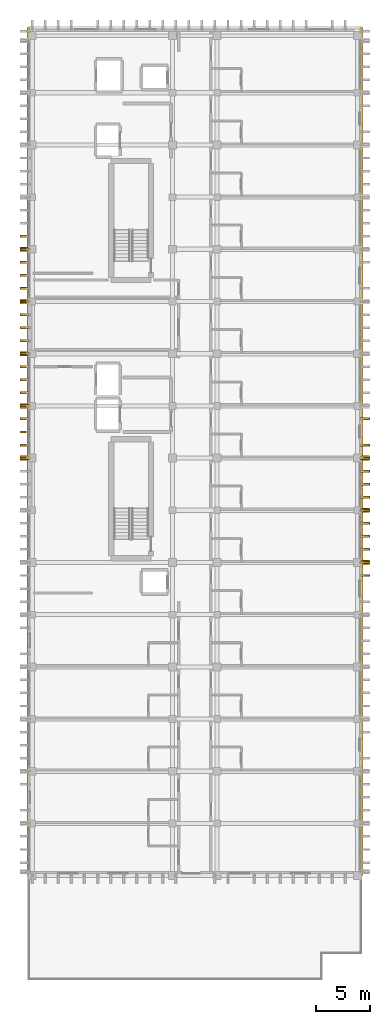
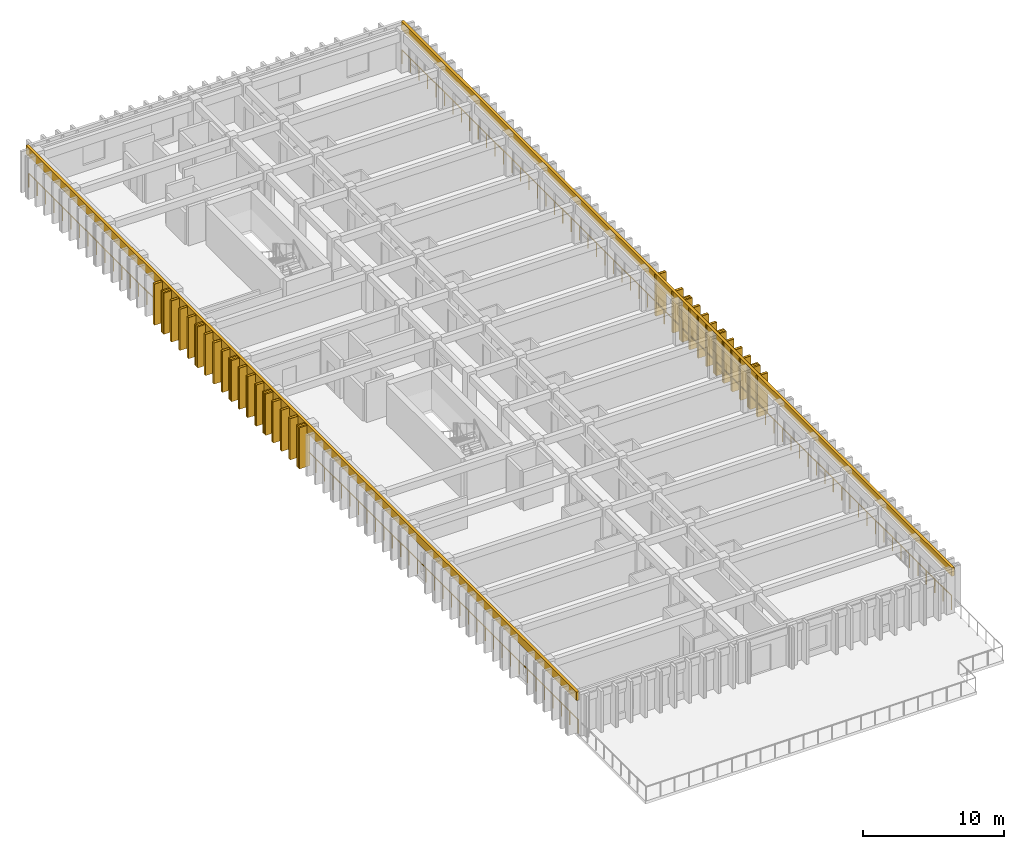
# One storey, part 56 of 59: 32 coverings, 30 shading devices, 2 railings.
"""IFC4 building model written with IfcOpenShell, lengths in metres."""

from ifc_helpers import new_model, si_unit, direction, frame, origin, origin_2d, place, context, subcontext, project, spatial, rectangle, circle, extrude, material, layer, layer_set, type_object, element, save


model = new_model("IFC4")

# Units and contexts
model_context = context("Model", 3, precision=1e-05, world=origin(), true_north=direction((0.0, 1.0)))
body_context = subcontext(model_context, "Body", "Model", "MODEL_VIEW")
ifc_project = project(units=[si_unit("LENGTHUNIT", "METRE"), si_unit("AREAUNIT", "SQUARE_METRE"), si_unit("VOLUMEUNIT", "CUBIC_METRE"), si_unit("PLANEANGLEUNIT", "RADIAN"), si_unit("MASSUNIT", "GRAM", prefix="KILO")], contexts=[model_context])

# Site, building, storey
site_placement = place(None, origin())
site = spatial("IfcSite", under=ifc_project, at=site_placement, CompositionType="ELEMENT")
building_placement = place(site_placement, origin())
building = spatial("IfcBuilding", under=site, at=building_placement, Name="Nakhvara Creek Congress Hotel", CompositionType="ELEMENT")
storey_placement = place(building_placement, frame((0.0, 0.0, 31.800048828125)))
storey = spatial("IfcBuildingStorey", under=building, at=storey_placement, Name="L07", CompositionType="ELEMENT", Elevation=31.800048828125)

# Coverings
ifc_material_1 = material(Name="Honed pale Omani limestone architectural cladding", Category="masonry")
ifc_layer_1 = layer(ifc_material_1, 0.219970703125)
ifc_layer_set_1 = layer_set([ifc_layer_1], Name="Honed pale Omani limestone architectural cladding")
covering_type_1 = type_object("IfcCoveringType", Name="COV-FIN-850", PredefinedType="CLADDING", material=ifc_layer_set_1)
covering_1_placement = place(storey_placement, frame((180.054931640625, 75.60009765625, 0.0), z_axis=(0.0, 0.0, 1.0), x_axis=(0.0, 1.0, 0.0)))
element("IfcCovering", 1, at=covering_1_placement, inside=storey, type_object=covering_type_1, Name="Pale Limestone Fin Cladding CF01-1847", PredefinedType="CLADDING", context=body_context, shape_type="SweptSolid", body=[
    extrude(rectangle(XDim=0.219970703125, YDim=0.85009765625, at=origin_2d()), origin(), (0.0, 0.0, 1.0), 3.56005859375),
])
covering_2_placement = place(storey_placement, frame((180.054931640625, 76.800048828125, 0.0), z_axis=(0.0, 0.0, 1.0), x_axis=(0.0, 1.0, 0.0)))
element("IfcCovering", 2, at=covering_2_placement, inside=storey, type_object=covering_type_1, Name="Pale Limestone Fin Cladding CF01-1849", PredefinedType="CLADDING", context=body_context, shape_type="SweptSolid", body=[
    extrude(rectangle(XDim=0.43994140625, YDim=0.85009765625, at=origin_2d()), origin(), (0.0, 0.0, 1.0), 3.56005859375),
])
for number, where, z_axis, x_axis, name in (
    (3, (180.054931640625, 78.0, 0.0), (0.0, 0.0, 1.0), (0.0, 1.0, 0.0), "Pale Limestone Fin Cladding CF01-1851"),
    (4, (180.054931640625, 79.199951171875, 0.0), (0.0, 0.0, 1.0), (0.0, 1.0, 0.0), "Pale Limestone Fin Cladding CF01-1853"),
    (5, (180.054931640625, 80.39990234375, 0.0), (0.0, 0.0, 1.0), (0.0, 1.0, 0.0), "Pale Limestone Fin Cladding CF01-1855"),
):
    element("IfcCovering", number, at=place(storey_placement, frame(where, z_axis=z_axis, x_axis=x_axis)), inside=storey, type_object=covering_type_1, Name=name, PredefinedType="CLADDING", context=body_context, shape_type="SweptSolid", body=[
        extrude(rectangle(XDim=0.219970703125, YDim=0.85009765625, at=origin_2d()), origin(), (0.0, 0.0, 1.0), 3.56005859375),
    ])
covering_3_placement = place(storey_placement, frame((180.054931640625, 81.60009765625, 0.0), z_axis=(0.0, 0.0, 1.0), x_axis=(0.0, 1.0, 0.0)))
element("IfcCovering", 6, at=covering_3_placement, inside=storey, type_object=covering_type_1, Name="Pale Limestone Fin Cladding CF01-1857", PredefinedType="CLADDING", context=body_context, shape_type="SweptSolid", body=[
    extrude(rectangle(XDim=0.43994140625, YDim=0.85009765625, at=origin_2d()), origin(), (0.0, 0.0, 1.0), 3.56005859375),
])
for number, where, z_axis, x_axis, name in (
    (7, (180.054931640625, 82.800048828125, 0.0), (0.0, 0.0, 1.0), (0.0, 1.0, 0.0), "Pale Limestone Fin Cladding CF01-1859"),
    (8, (180.054931640625, 84.0, 0.0), (0.0, 0.0, 1.0), (0.0, 1.0, 0.0), "Pale Limestone Fin Cladding CF01-1861"),
    (9, (180.054931640625, 85.199951171875, 0.0), (0.0, 0.0, 1.0), (0.0, 1.0, 0.0), "Pale Limestone Fin Cladding CF01-1863"),
):
    element("IfcCovering", number, at=place(storey_placement, frame(where, z_axis=z_axis, x_axis=x_axis)), inside=storey, type_object=covering_type_1, Name=name, PredefinedType="CLADDING", context=body_context, shape_type="SweptSolid", body=[
        extrude(rectangle(XDim=0.219970703125, YDim=0.85009765625, at=origin_2d()), origin(), (0.0, 0.0, 1.0), 3.56005859375),
    ])
for number, where, z_axis, x_axis, name in (
    (10, (180.054931640625, 86.39990234375, 0.0), (0.0, 0.0, 1.0), (0.0, 1.0, 0.0), "Pale Limestone Fin Cladding CF01-1865"),
    (11, (148.7451171875, 86.39990234375, 0.0), (0.0, 0.0, 1.0), (0.0, 1.0, 0.0), "Pale Limestone Fin Cladding CF01-1866"),
):
    element("IfcCovering", number, at=place(storey_placement, frame(where, z_axis=z_axis, x_axis=x_axis)), inside=storey, type_object=covering_type_1, Name=name, PredefinedType="CLADDING", context=body_context, shape_type="SweptSolid", body=[
        extrude(rectangle(XDim=0.43994140625, YDim=0.85009765625, at=origin_2d()), origin(), (0.0, 0.0, 1.0), 3.56005859375),
    ])
for number, where, z_axis, x_axis, name in (
    (12, (180.054931640625, 87.60009765625, 0.0), (0.0, 0.0, 1.0), (0.0, 1.0, 0.0), "Pale Limestone Fin Cladding CF01-1867"),
    (13, (148.7451171875, 87.60009765625, 0.0), (0.0, 0.0, 1.0), (0.0, 1.0, 0.0), "Pale Limestone Fin Cladding CF01-1868"),
    (14, (148.7451171875, 88.800048828125, 0.0), (0.0, 0.0, 1.0), (0.0, 1.0, 0.0), "Pale Limestone Fin Cladding CF01-1869"),
    (15, (180.054931640625, 90.0, 0.0), (0.0, 0.0, 1.0), (0.0, 1.0, 0.0), "Pale Limestone Fin Cladding CF01-1870"),
    (16, (148.7451171875, 90.0, 0.0), (0.0, 0.0, 1.0), (0.0, 1.0, 0.0), "Pale Limestone Fin Cladding CF01-1871"),
):
    element("IfcCovering", number, at=place(storey_placement, frame(where, z_axis=z_axis, x_axis=x_axis)), inside=storey, type_object=covering_type_1, Name=name, PredefinedType="CLADDING", context=body_context, shape_type="SweptSolid", body=[
        extrude(rectangle(XDim=0.219970703125, YDim=0.85009765625, at=origin_2d()), origin(), (0.0, 0.0, 1.0), 3.56005859375),
    ])
covering_4_placement = place(storey_placement, frame((148.7451171875, 91.199951171875, 0.0), z_axis=(0.0, 0.0, 1.0), x_axis=(0.0, 1.0, 0.0)))
element("IfcCovering", 17, at=covering_4_placement, inside=storey, type_object=covering_type_1, Name="Pale Limestone Fin Cladding CF01-1873", PredefinedType="CLADDING", context=body_context, shape_type="SweptSolid", body=[
    extrude(rectangle(XDim=0.43994140625, YDim=0.85009765625, at=origin_2d()), origin(), (0.0, 0.0, 1.0), 3.56005859375),
])
for number, where, z_axis, x_axis, name in (
    (18, (148.7451171875, 92.39990234375, 0.0), (0.0, 0.0, 1.0), (0.0, 1.0, 0.0), "Pale Limestone Fin Cladding CF01-1875"),
    (19, (148.7451171875, 93.60009765625, 0.0), (0.0, 0.0, 1.0), (0.0, 1.0, 0.0), "Pale Limestone Fin Cladding CF01-1877"),
    (20, (148.7451171875, 94.800048828125, 0.0), (0.0, 0.0, 1.0), (0.0, 1.0, 0.0), "Pale Limestone Fin Cladding CF01-1879"),
):
    element("IfcCovering", number, at=place(storey_placement, frame(where, z_axis=z_axis, x_axis=x_axis)), inside=storey, type_object=covering_type_1, Name=name, PredefinedType="CLADDING", context=body_context, shape_type="SweptSolid", body=[
        extrude(rectangle(XDim=0.219970703125, YDim=0.85009765625, at=origin_2d()), origin(), (0.0, 0.0, 1.0), 3.56005859375),
    ])
covering_5_placement = place(storey_placement, frame((148.7451171875, 96.0, 0.0), z_axis=(0.0, 0.0, 1.0), x_axis=(0.0, 1.0, 0.0)))
element("IfcCovering", 21, at=covering_5_placement, inside=storey, type_object=covering_type_1, Name="Pale Limestone Fin Cladding CF01-1881", PredefinedType="CLADDING", context=body_context, shape_type="SweptSolid", body=[
    extrude(rectangle(XDim=0.43994140625, YDim=0.85009765625, at=origin_2d()), origin(), (0.0, 0.0, 1.0), 3.56005859375),
])
for number, where, z_axis, x_axis, name in (
    (22, (148.7451171875, 97.199951171875, 0.0), (0.0, 0.0, 1.0), (0.0, 1.0, 0.0), "Pale Limestone Fin Cladding CF01-1883"),
    (23, (148.7451171875, 98.39990234375, 0.0), (0.0, 0.0, 1.0), (0.0, 1.0, 0.0), "Pale Limestone Fin Cladding CF01-1885"),
    (24, (148.7451171875, 99.60009765625, 0.0), (0.0, 0.0, 1.0), (0.0, 1.0, 0.0), "Pale Limestone Fin Cladding CF01-1887"),
):
    element("IfcCovering", number, at=place(storey_placement, frame(where, z_axis=z_axis, x_axis=x_axis)), inside=storey, type_object=covering_type_1, Name=name, PredefinedType="CLADDING", context=body_context, shape_type="SweptSolid", body=[
        extrude(rectangle(XDim=0.219970703125, YDim=0.85009765625, at=origin_2d()), origin(), (0.0, 0.0, 1.0), 3.56005859375),
    ])
covering_6_placement = place(storey_placement, frame((148.7451171875, 100.800048828125, 0.0), z_axis=(0.0, 0.0, 1.0), x_axis=(0.0, 1.0, 0.0)))
element("IfcCovering", 25, at=covering_6_placement, inside=storey, type_object=covering_type_1, Name="Pale Limestone Fin Cladding CF01-1889", PredefinedType="CLADDING", context=body_context, shape_type="SweptSolid", body=[
    extrude(rectangle(XDim=0.43994140625, YDim=0.85009765625, at=origin_2d()), origin(), (0.0, 0.0, 1.0), 3.56005859375),
])
for number, where, z_axis, x_axis, name in (
    (26, (148.7451171875, 102.0, 0.0), (0.0, 0.0, 1.0), (0.0, 1.0, 0.0), "Pale Limestone Fin Cladding CF01-1891"),
    (27, (148.7451171875, 103.199951171875, 0.0), (0.0, 0.0, 1.0), (0.0, 1.0, 0.0), "Pale Limestone Fin Cladding CF01-1892"),
    (28, (148.7451171875, 104.39990234375, 0.0), (0.0, 0.0, 1.0), (0.0, 1.0, 0.0), "Pale Limestone Fin Cladding CF01-1894"),
):
    element("IfcCovering", number, at=place(storey_placement, frame(where, z_axis=z_axis, x_axis=x_axis)), inside=storey, type_object=covering_type_1, Name=name, PredefinedType="CLADDING", context=body_context, shape_type="SweptSolid", body=[
        extrude(rectangle(XDim=0.219970703125, YDim=0.85009765625, at=origin_2d()), origin(), (0.0, 0.0, 1.0), 3.56005859375),
    ])
covering_7_placement = place(storey_placement, frame((148.7451171875, 105.60009765625, 0.0), z_axis=(0.0, 0.0, 1.0), x_axis=(0.0, 1.0, 0.0)))
element("IfcCovering", 29, at=covering_7_placement, inside=storey, type_object=covering_type_1, Name="Pale Limestone Fin Cladding CF01-1896", PredefinedType="CLADDING", context=body_context, shape_type="SweptSolid", body=[
    extrude(rectangle(XDim=0.43994140625, YDim=0.85009765625, at=origin_2d()), origin(), (0.0, 0.0, 1.0), 3.56005859375),
])
covering_8_placement = place(storey_placement, frame((148.7451171875, 106.800048828125, 0.0), z_axis=(0.0, 0.0, 1.0), x_axis=(0.0, 1.0, 0.0)))
element("IfcCovering", 30, at=covering_8_placement, inside=storey, type_object=covering_type_1, Name="Pale Limestone Fin Cladding CF01-1898", PredefinedType="CLADDING", context=body_context, shape_type="SweptSolid", body=[
    extrude(rectangle(XDim=0.219970703125, YDim=0.85009765625, at=origin_2d()), origin(), (0.0, 0.0, 1.0), 3.56005859375),
])
ifc_layer_2 = layer(ifc_material_1, 0.179931640625)
ifc_layer_set_2 = layer_set([ifc_layer_2], Name="Honed pale Omani limestone architectural cladding")
covering_type_2 = type_object("IfcCoveringType", Name="COV-SPN-180", PredefinedType="CLADDING", material=ifc_layer_set_2)
for number, where, z_axis, x_axis, name in (
    (31, (179.739990234375, 87.0, 2.909912109375), (0.0, 0.0, 1.0), (0.0, 1.0, 0.0), "Pale Limestone Spandrel Band CF02-0069"),
    (32, (149.06005859375, 87.0, 2.909912109375), (0.0, 0.0, 1.0), (0.0, 1.0, 0.0), "Pale Limestone Spandrel Band CF02-0070"),
):
    element("IfcCovering", number, at=place(storey_placement, frame(where, z_axis=z_axis, x_axis=x_axis)), inside=storey, type_object=covering_type_2, Name=name, PredefinedType="CLADDING", context=body_context, shape_type="SweptSolid", body=[
        extrude(rectangle(XDim=78.0, YDim=0.219970703125, at=origin_2d()), origin(), (0.0, 0.0, 1.0), 0.72998046875),
    ])

# Railings
ifc_material_2 = material(Name="Brushed stainless steel 316L", Category="steel")
railing_type = type_object("IfcRailingType", Name="RL-GUARD-1200", PredefinedType="GUARDRAIL", material=ifc_material_2)
railing_1_placement = place(storey_placement, frame((179.669921875, 48.080078125, 0.0)))
element("IfcRailing", 33, at=railing_1_placement, inside=storey, type_object=railing_type, Name="Perimeter Safety Rail East L07", PredefinedType="GUARDRAIL", context=body_context, shape_type="SweptSolid", body=[
    extrude(circle(Radius=0.02392578125, at=origin_2d()), frame((0.0, 0.0146484375, 1.17578125), z_axis=(0.0, 1.0, 0.0), x_axis=(-1.0, 0.0, 0.0)), (0.0, 0.0, 1.0), 77.810546875),
    extrude(circle(Radius=0.02099609375, at=origin_2d()), origin(), (0.0, 0.0, 1.0), 1.1806640625),
    extrude(circle(Radius=0.02099609375, at=origin_2d()), frame((0.0, 1.197509765625, 0.0)), (0.0, 0.0, 1.0), 1.1806640625),
    extrude(circle(Radius=0.02099609375, at=origin_2d()), frame((0.0, 2.39501953125, 0.0)), (0.0, 0.0, 1.0), 1.1806640625),
    extrude(circle(Radius=0.02099609375, at=origin_2d()), frame((0.0, 3.592529296875, 0.0)), (0.0, 0.0, 1.0), 1.1806640625),
    extrude(circle(Radius=0.02099609375, at=origin_2d()), frame((0.0, 4.7900390625, 0.0)), (0.0, 0.0, 1.0), 1.1806640625),
    extrude(circle(Radius=0.02099609375, at=origin_2d()), frame((0.0, 5.98779296875, 0.0)), (0.0, 0.0, 1.0), 1.1806640625),
    extrude(circle(Radius=0.02099609375, at=origin_2d()), frame((0.0, 7.185302734375, 0.0)), (0.0, 0.0, 1.0), 1.1806640625),
    extrude(circle(Radius=0.02099609375, at=origin_2d()), frame((0.0, 8.3828125, 0.0)), (0.0, 0.0, 1.0), 1.1806640625),
    extrude(circle(Radius=0.02099609375, at=origin_2d()), frame((0.0, 9.580322265625, 0.0)), (0.0, 0.0, 1.0), 1.1806640625),
    extrude(circle(Radius=0.02099609375, at=origin_2d()), frame((0.0, 10.77783203125, 0.0)), (0.0, 0.0, 1.0), 1.1806640625),
    extrude(circle(Radius=0.02099609375, at=origin_2d()), frame((0.0, 11.975341796875, 0.0)), (0.0, 0.0, 1.0), 1.1806640625),
    extrude(circle(Radius=0.02099609375, at=origin_2d()), frame((0.0, 13.1728515625, 0.0)), (0.0, 0.0, 1.0), 1.1806640625),
    extrude(circle(Radius=0.02099609375, at=origin_2d()), frame((0.0, 14.370361328125, 0.0)), (0.0, 0.0, 1.0), 1.1806640625),
    extrude(circle(Radius=0.02099609375, at=origin_2d()), frame((0.0, 15.56787109375, 0.0)), (0.0, 0.0, 1.0), 1.1806640625),
    extrude(circle(Radius=0.02099609375, at=origin_2d()), frame((0.0, 16.765625, 0.0)), (0.0, 0.0, 1.0), 1.1806640625),
    extrude(circle(Radius=0.02099609375, at=origin_2d()), frame((0.0, 17.963134765625, 0.0)), (0.0, 0.0, 1.0), 1.1806640625),
    extrude(circle(Radius=0.02099609375, at=origin_2d()), frame((0.0, 19.16064453125, 0.0)), (0.0, 0.0, 1.0), 1.1806640625),
    extrude(circle(Radius=0.02099609375, at=origin_2d()), frame((0.0, 20.358154296875, 0.0)), (0.0, 0.0, 1.0), 1.1806640625),
    extrude(circle(Radius=0.02099609375, at=origin_2d()), frame((0.0, 21.5556640625, 0.0)), (0.0, 0.0, 1.0), 1.1806640625),
    extrude(circle(Radius=0.02099609375, at=origin_2d()), frame((0.0, 22.753173828125, 0.0)), (0.0, 0.0, 1.0), 1.1806640625),
    extrude(circle(Radius=0.02099609375, at=origin_2d()), frame((0.0, 23.95068359375, 0.0)), (0.0, 0.0, 1.0), 1.1806640625),
    extrude(circle(Radius=0.02099609375, at=origin_2d()), frame((0.0, 25.148193359375, 0.0)), (0.0, 0.0, 1.0), 1.1806640625),
    extrude(circle(Radius=0.02099609375, at=origin_2d()), frame((0.0, 26.345703125, 0.0)), (0.0, 0.0, 1.0), 1.1806640625),
    extrude(circle(Radius=0.02099609375, at=origin_2d()), frame((0.0, 27.543212890625, 0.0)), (0.0, 0.0, 1.0), 1.1806640625),
    extrude(circle(Radius=0.02099609375, at=origin_2d()), frame((0.0, 28.740966796875, 0.0)), (0.0, 0.0, 1.0), 1.1806640625),
    extrude(circle(Radius=0.02099609375, at=origin_2d()), frame((0.0, 29.9384765625, 0.0)), (0.0, 0.0, 1.0), 1.1806640625),
    extrude(circle(Radius=0.02099609375, at=origin_2d()), frame((0.0, 31.135986328125, 0.0)), (0.0, 0.0, 1.0), 1.1806640625),
    extrude(circle(Radius=0.02099609375, at=origin_2d()), frame((0.0, 32.33349609375, 0.0)), (0.0, 0.0, 1.0), 1.1806640625),
    extrude(circle(Radius=0.02099609375, at=origin_2d()), frame((0.0, 33.531005859375, 0.0)), (0.0, 0.0, 1.0), 1.1806640625),
    extrude(circle(Radius=0.02099609375, at=origin_2d()), frame((0.0, 34.728515625, 0.0)), (0.0, 0.0, 1.0), 1.1806640625),
    extrude(circle(Radius=0.02099609375, at=origin_2d()), frame((0.0, 35.926025390625, 0.0)), (0.0, 0.0, 1.0), 1.1806640625),
    extrude(circle(Radius=0.02099609375, at=origin_2d()), frame((0.0, 37.12353515625, 0.0)), (0.0, 0.0, 1.0), 1.1806640625),
    extrude(circle(Radius=0.02099609375, at=origin_2d()), frame((0.0, 38.321044921875, 0.0)), (0.0, 0.0, 1.0), 1.1806640625),
    extrude(circle(Radius=0.02099609375, at=origin_2d()), frame((0.0, 39.518798828125, 0.0)), (0.0, 0.0, 1.0), 1.1806640625),
    extrude(circle(Radius=0.02099609375, at=origin_2d()), frame((0.0, 40.71630859375, 0.0)), (0.0, 0.0, 1.0), 1.1806640625),
    extrude(circle(Radius=0.02099609375, at=origin_2d()), frame((0.0, 41.913818359375, 0.0)), (0.0, 0.0, 1.0), 1.1806640625),
    extrude(circle(Radius=0.02099609375, at=origin_2d()), frame((0.0, 43.111328125, 0.0)), (0.0, 0.0, 1.0), 1.1806640625),
    extrude(circle(Radius=0.02099609375, at=origin_2d()), frame((0.0, 44.308837890625, 0.0)), (0.0, 0.0, 1.0), 1.1806640625),
    extrude(circle(Radius=0.02099609375, at=origin_2d()), frame((0.0, 45.50634765625, 0.0)), (0.0, 0.0, 1.0), 1.1806640625),
    extrude(circle(Radius=0.02099609375, at=origin_2d()), frame((0.0, 46.703857421875, 0.0)), (0.0, 0.0, 1.0), 1.1806640625),
    extrude(circle(Radius=0.02099609375, at=origin_2d()), frame((0.0, 47.9013671875, 0.0)), (0.0, 0.0, 1.0), 1.1806640625),
    extrude(circle(Radius=0.02099609375, at=origin_2d()), frame((0.0, 49.098876953125, 0.0)), (0.0, 0.0, 1.0), 1.1806640625),
    extrude(circle(Radius=0.02099609375, at=origin_2d()), frame((0.0, 50.296630859375, 0.0)), (0.0, 0.0, 1.0), 1.1806640625),
    extrude(circle(Radius=0.02099609375, at=origin_2d()), frame((0.0, 51.494140625, 0.0)), (0.0, 0.0, 1.0), 1.1806640625),
    extrude(circle(Radius=0.02099609375, at=origin_2d()), frame((0.0, 52.691650390625, 0.0)), (0.0, 0.0, 1.0), 1.1806640625),
    extrude(circle(Radius=0.02099609375, at=origin_2d()), frame((0.0, 53.88916015625, 0.0)), (0.0, 0.0, 1.0), 1.1806640625),
    extrude(circle(Radius=0.02099609375, at=origin_2d()), frame((0.0, 55.086669921875, 0.0)), (0.0, 0.0, 1.0), 1.1806640625),
    extrude(circle(Radius=0.02099609375, at=origin_2d()), frame((0.0, 56.2841796875, 0.0)), (0.0, 0.0, 1.0), 1.1806640625),
    extrude(circle(Radius=0.02099609375, at=origin_2d()), frame((0.0, 57.481689453125, 0.0)), (0.0, 0.0, 1.0), 1.1806640625),
    extrude(circle(Radius=0.02099609375, at=origin_2d()), frame((0.0, 58.67919921875, 0.0)), (0.0, 0.0, 1.0), 1.1806640625),
    extrude(circle(Radius=0.02099609375, at=origin_2d()), frame((0.0, 59.876708984375, 0.0)), (0.0, 0.0, 1.0), 1.1806640625),
    extrude(circle(Radius=0.02099609375, at=origin_2d()), frame((0.0, 61.07421875, 0.0)), (0.0, 0.0, 1.0), 1.1806640625),
    extrude(circle(Radius=0.02099609375, at=origin_2d()), frame((0.0, 62.27197265625, 0.0)), (0.0, 0.0, 1.0), 1.1806640625),
    extrude(circle(Radius=0.02099609375, at=origin_2d()), frame((0.0, 63.469482421875, 0.0)), (0.0, 0.0, 1.0), 1.1806640625),
    extrude(circle(Radius=0.02099609375, at=origin_2d()), frame((0.0, 64.6669921875, 0.0)), (0.0, 0.0, 1.0), 1.1806640625),
    extrude(circle(Radius=0.02099609375, at=origin_2d()), frame((0.0, 65.864501953125, 0.0)), (0.0, 0.0, 1.0), 1.1806640625),
    extrude(circle(Radius=0.02099609375, at=origin_2d()), frame((0.0, 67.06201171875, 0.0)), (0.0, 0.0, 1.0), 1.1806640625),
    extrude(circle(Radius=0.02099609375, at=origin_2d()), frame((0.0, 68.259521484375, 0.0)), (0.0, 0.0, 1.0), 1.1806640625),
    extrude(circle(Radius=0.02099609375, at=origin_2d()), frame((0.0, 69.45703125, 0.0)), (0.0, 0.0, 1.0), 1.1806640625),
    extrude(circle(Radius=0.02099609375, at=origin_2d()), frame((0.0, 70.654541015625, 0.0)), (0.0, 0.0, 1.0), 1.1806640625),
    extrude(circle(Radius=0.02099609375, at=origin_2d()), frame((0.0, 71.85205078125, 0.0)), (0.0, 0.0, 1.0), 1.1806640625),
    extrude(circle(Radius=0.02099609375, at=origin_2d()), frame((0.0, 73.0498046875, 0.0)), (0.0, 0.0, 1.0), 1.1806640625),
    extrude(circle(Radius=0.02099609375, at=origin_2d()), frame((0.0, 74.247314453125, 0.0)), (0.0, 0.0, 1.0), 1.1806640625),
    extrude(circle(Radius=0.02099609375, at=origin_2d()), frame((0.0, 75.44482421875, 0.0)), (0.0, 0.0, 1.0), 1.1806640625),
    extrude(circle(Radius=0.02099609375, at=origin_2d()), frame((0.0, 76.642333984375, 0.0)), (0.0, 0.0, 1.0), 1.1806640625),
    extrude(circle(Radius=0.02099609375, at=origin_2d()), frame((0.0, 77.83984375, 0.0)), (0.0, 0.0, 1.0), 1.1806640625),
])
railing_2_placement = place(storey_placement, frame((149.1298828125, 48.080078125, 0.0)))
element("IfcRailing", 34, at=railing_2_placement, inside=storey, type_object=railing_type, Name="Perimeter Safety Rail West L07", PredefinedType="GUARDRAIL", context=body_context, shape_type="SweptSolid", body=[
    extrude(circle(Radius=0.02392578125, at=origin_2d()), frame((0.0, 0.0146484375, 1.17578125), z_axis=(0.0, 1.0, 0.0), x_axis=(-1.0, 0.0, 0.0)), (0.0, 0.0, 1.0), 77.810546875),
    extrude(circle(Radius=0.02099609375, at=origin_2d()), origin(), (0.0, 0.0, 1.0), 1.1806640625),
    extrude(circle(Radius=0.02099609375, at=origin_2d()), frame((0.0, 1.197509765625, 0.0)), (0.0, 0.0, 1.0), 1.1806640625),
    extrude(circle(Radius=0.02099609375, at=origin_2d()), frame((0.0, 2.39501953125, 0.0)), (0.0, 0.0, 1.0), 1.1806640625),
    extrude(circle(Radius=0.02099609375, at=origin_2d()), frame((0.0, 3.592529296875, 0.0)), (0.0, 0.0, 1.0), 1.1806640625),
    extrude(circle(Radius=0.02099609375, at=origin_2d()), frame((0.0, 4.7900390625, 0.0)), (0.0, 0.0, 1.0), 1.1806640625),
    extrude(circle(Radius=0.02099609375, at=origin_2d()), frame((0.0, 5.98779296875, 0.0)), (0.0, 0.0, 1.0), 1.1806640625),
    extrude(circle(Radius=0.02099609375, at=origin_2d()), frame((0.0, 7.185302734375, 0.0)), (0.0, 0.0, 1.0), 1.1806640625),
    extrude(circle(Radius=0.02099609375, at=origin_2d()), frame((0.0, 8.3828125, 0.0)), (0.0, 0.0, 1.0), 1.1806640625),
    extrude(circle(Radius=0.02099609375, at=origin_2d()), frame((0.0, 9.580322265625, 0.0)), (0.0, 0.0, 1.0), 1.1806640625),
    extrude(circle(Radius=0.02099609375, at=origin_2d()), frame((0.0, 10.77783203125, 0.0)), (0.0, 0.0, 1.0), 1.1806640625),
    extrude(circle(Radius=0.02099609375, at=origin_2d()), frame((0.0, 11.975341796875, 0.0)), (0.0, 0.0, 1.0), 1.1806640625),
    extrude(circle(Radius=0.02099609375, at=origin_2d()), frame((0.0, 13.1728515625, 0.0)), (0.0, 0.0, 1.0), 1.1806640625),
    extrude(circle(Radius=0.02099609375, at=origin_2d()), frame((0.0, 14.370361328125, 0.0)), (0.0, 0.0, 1.0), 1.1806640625),
    extrude(circle(Radius=0.02099609375, at=origin_2d()), frame((0.0, 15.56787109375, 0.0)), (0.0, 0.0, 1.0), 1.1806640625),
    extrude(circle(Radius=0.02099609375, at=origin_2d()), frame((0.0, 16.765625, 0.0)), (0.0, 0.0, 1.0), 1.1806640625),
    extrude(circle(Radius=0.02099609375, at=origin_2d()), frame((0.0, 17.963134765625, 0.0)), (0.0, 0.0, 1.0), 1.1806640625),
    extrude(circle(Radius=0.02099609375, at=origin_2d()), frame((0.0, 19.16064453125, 0.0)), (0.0, 0.0, 1.0), 1.1806640625),
    extrude(circle(Radius=0.02099609375, at=origin_2d()), frame((0.0, 20.358154296875, 0.0)), (0.0, 0.0, 1.0), 1.1806640625),
    extrude(circle(Radius=0.02099609375, at=origin_2d()), frame((0.0, 21.5556640625, 0.0)), (0.0, 0.0, 1.0), 1.1806640625),
    extrude(circle(Radius=0.02099609375, at=origin_2d()), frame((0.0, 22.753173828125, 0.0)), (0.0, 0.0, 1.0), 1.1806640625),
    extrude(circle(Radius=0.02099609375, at=origin_2d()), frame((0.0, 23.95068359375, 0.0)), (0.0, 0.0, 1.0), 1.1806640625),
    extrude(circle(Radius=0.02099609375, at=origin_2d()), frame((0.0, 25.148193359375, 0.0)), (0.0, 0.0, 1.0), 1.1806640625),
    extrude(circle(Radius=0.02099609375, at=origin_2d()), frame((0.0, 26.345703125, 0.0)), (0.0, 0.0, 1.0), 1.1806640625),
    extrude(circle(Radius=0.02099609375, at=origin_2d()), frame((0.0, 27.543212890625, 0.0)), (0.0, 0.0, 1.0), 1.1806640625),
    extrude(circle(Radius=0.02099609375, at=origin_2d()), frame((0.0, 28.740966796875, 0.0)), (0.0, 0.0, 1.0), 1.1806640625),
    extrude(circle(Radius=0.02099609375, at=origin_2d()), frame((0.0, 29.9384765625, 0.0)), (0.0, 0.0, 1.0), 1.1806640625),
    extrude(circle(Radius=0.02099609375, at=origin_2d()), frame((0.0, 31.135986328125, 0.0)), (0.0, 0.0, 1.0), 1.1806640625),
    extrude(circle(Radius=0.02099609375, at=origin_2d()), frame((0.0, 32.33349609375, 0.0)), (0.0, 0.0, 1.0), 1.1806640625),
    extrude(circle(Radius=0.02099609375, at=origin_2d()), frame((0.0, 33.531005859375, 0.0)), (0.0, 0.0, 1.0), 1.1806640625),
    extrude(circle(Radius=0.02099609375, at=origin_2d()), frame((0.0, 34.728515625, 0.0)), (0.0, 0.0, 1.0), 1.1806640625),
    extrude(circle(Radius=0.02099609375, at=origin_2d()), frame((0.0, 35.926025390625, 0.0)), (0.0, 0.0, 1.0), 1.1806640625),
    extrude(circle(Radius=0.02099609375, at=origin_2d()), frame((0.0, 37.12353515625, 0.0)), (0.0, 0.0, 1.0), 1.1806640625),
    extrude(circle(Radius=0.02099609375, at=origin_2d()), frame((0.0, 38.321044921875, 0.0)), (0.0, 0.0, 1.0), 1.1806640625),
    extrude(circle(Radius=0.02099609375, at=origin_2d()), frame((0.0, 39.518798828125, 0.0)), (0.0, 0.0, 1.0), 1.1806640625),
    extrude(circle(Radius=0.02099609375, at=origin_2d()), frame((0.0, 40.71630859375, 0.0)), (0.0, 0.0, 1.0), 1.1806640625),
    extrude(circle(Radius=0.02099609375, at=origin_2d()), frame((0.0, 41.913818359375, 0.0)), (0.0, 0.0, 1.0), 1.1806640625),
    extrude(circle(Radius=0.02099609375, at=origin_2d()), frame((0.0, 43.111328125, 0.0)), (0.0, 0.0, 1.0), 1.1806640625),
    extrude(circle(Radius=0.02099609375, at=origin_2d()), frame((0.0, 44.308837890625, 0.0)), (0.0, 0.0, 1.0), 1.1806640625),
    extrude(circle(Radius=0.02099609375, at=origin_2d()), frame((0.0, 45.50634765625, 0.0)), (0.0, 0.0, 1.0), 1.1806640625),
    extrude(circle(Radius=0.02099609375, at=origin_2d()), frame((0.0, 46.703857421875, 0.0)), (0.0, 0.0, 1.0), 1.1806640625),
    extrude(circle(Radius=0.02099609375, at=origin_2d()), frame((0.0, 47.9013671875, 0.0)), (0.0, 0.0, 1.0), 1.1806640625),
    extrude(circle(Radius=0.02099609375, at=origin_2d()), frame((0.0, 49.098876953125, 0.0)), (0.0, 0.0, 1.0), 1.1806640625),
    extrude(circle(Radius=0.02099609375, at=origin_2d()), frame((0.0, 50.296630859375, 0.0)), (0.0, 0.0, 1.0), 1.1806640625),
    extrude(circle(Radius=0.02099609375, at=origin_2d()), frame((0.0, 51.494140625, 0.0)), (0.0, 0.0, 1.0), 1.1806640625),
    extrude(circle(Radius=0.02099609375, at=origin_2d()), frame((0.0, 52.691650390625, 0.0)), (0.0, 0.0, 1.0), 1.1806640625),
    extrude(circle(Radius=0.02099609375, at=origin_2d()), frame((0.0, 53.88916015625, 0.0)), (0.0, 0.0, 1.0), 1.1806640625),
    extrude(circle(Radius=0.02099609375, at=origin_2d()), frame((0.0, 55.086669921875, 0.0)), (0.0, 0.0, 1.0), 1.1806640625),
    extrude(circle(Radius=0.02099609375, at=origin_2d()), frame((0.0, 56.2841796875, 0.0)), (0.0, 0.0, 1.0), 1.1806640625),
    extrude(circle(Radius=0.02099609375, at=origin_2d()), frame((0.0, 57.481689453125, 0.0)), (0.0, 0.0, 1.0), 1.1806640625),
    extrude(circle(Radius=0.02099609375, at=origin_2d()), frame((0.0, 58.67919921875, 0.0)), (0.0, 0.0, 1.0), 1.1806640625),
    extrude(circle(Radius=0.02099609375, at=origin_2d()), frame((0.0, 59.876708984375, 0.0)), (0.0, 0.0, 1.0), 1.1806640625),
    extrude(circle(Radius=0.02099609375, at=origin_2d()), frame((0.0, 61.07421875, 0.0)), (0.0, 0.0, 1.0), 1.1806640625),
    extrude(circle(Radius=0.02099609375, at=origin_2d()), frame((0.0, 62.27197265625, 0.0)), (0.0, 0.0, 1.0), 1.1806640625),
    extrude(circle(Radius=0.02099609375, at=origin_2d()), frame((0.0, 63.469482421875, 0.0)), (0.0, 0.0, 1.0), 1.1806640625),
    extrude(circle(Radius=0.02099609375, at=origin_2d()), frame((0.0, 64.6669921875, 0.0)), (0.0, 0.0, 1.0), 1.1806640625),
    extrude(circle(Radius=0.02099609375, at=origin_2d()), frame((0.0, 65.864501953125, 0.0)), (0.0, 0.0, 1.0), 1.1806640625),
    extrude(circle(Radius=0.02099609375, at=origin_2d()), frame((0.0, 67.06201171875, 0.0)), (0.0, 0.0, 1.0), 1.1806640625),
    extrude(circle(Radius=0.02099609375, at=origin_2d()), frame((0.0, 68.259521484375, 0.0)), (0.0, 0.0, 1.0), 1.1806640625),
    extrude(circle(Radius=0.02099609375, at=origin_2d()), frame((0.0, 69.45703125, 0.0)), (0.0, 0.0, 1.0), 1.1806640625),
    extrude(circle(Radius=0.02099609375, at=origin_2d()), frame((0.0, 70.654541015625, 0.0)), (0.0, 0.0, 1.0), 1.1806640625),
    extrude(circle(Radius=0.02099609375, at=origin_2d()), frame((0.0, 71.85205078125, 0.0)), (0.0, 0.0, 1.0), 1.1806640625),
    extrude(circle(Radius=0.02099609375, at=origin_2d()), frame((0.0, 73.0498046875, 0.0)), (0.0, 0.0, 1.0), 1.1806640625),
    extrude(circle(Radius=0.02099609375, at=origin_2d()), frame((0.0, 74.247314453125, 0.0)), (0.0, 0.0, 1.0), 1.1806640625),
    extrude(circle(Radius=0.02099609375, at=origin_2d()), frame((0.0, 75.44482421875, 0.0)), (0.0, 0.0, 1.0), 1.1806640625),
    extrude(circle(Radius=0.02099609375, at=origin_2d()), frame((0.0, 76.642333984375, 0.0)), (0.0, 0.0, 1.0), 1.1806640625),
    extrude(circle(Radius=0.02099609375, at=origin_2d()), frame((0.0, 77.83984375, 0.0)), (0.0, 0.0, 1.0), 1.1806640625),
])

# Shading devices
ifc_material_3 = material(Name="Honed pale Omani limestone cladding on stainless steel spine", Category="masonry")
shading_device_type = type_object("IfcShadingDeviceType", Name="SHD-FIN-850X3600", PredefinedType="USERDEFINED", material=ifc_material_3)
for number, where, z_axis, x_axis, name in (
    (35, (180.054931640625, 75.60009765625, 0.0), (0.0, 0.0, 1.0), (0.0, 1.0, 0.0), "Limestone Solar Fin FN01-1712"),
    (36, (180.054931640625, 76.800048828125, 0.0), (0.0, 0.0, 1.0), (0.0, 1.0, 0.0), "Limestone Solar Fin FN01-1714"),
    (37, (180.054931640625, 78.0, 0.0), (0.0, 0.0, 1.0), (0.0, 1.0, 0.0), "Limestone Solar Fin FN01-1716"),
    (38, (180.054931640625, 79.199951171875, 0.0), (0.0, 0.0, 1.0), (0.0, 1.0, 0.0), "Limestone Solar Fin FN01-1718"),
    (39, (180.054931640625, 80.39990234375, 0.0), (0.0, 0.0, 1.0), (0.0, 1.0, 0.0), "Limestone Solar Fin FN01-1720"),
    (40, (180.054931640625, 81.60009765625, 0.0), (0.0, 0.0, 1.0), (0.0, 1.0, 0.0), "Limestone Solar Fin FN01-1722"),
    (41, (180.054931640625, 82.800048828125, 0.0), (0.0, 0.0, 1.0), (0.0, 1.0, 0.0), "Limestone Solar Fin FN01-1724"),
    (42, (180.054931640625, 84.0, 0.0), (0.0, 0.0, 1.0), (0.0, 1.0, 0.0), "Limestone Solar Fin FN01-1726"),
    (43, (180.054931640625, 85.199951171875, 0.0), (0.0, 0.0, 1.0), (0.0, 1.0, 0.0), "Limestone Solar Fin FN01-1728"),
    (44, (180.054931640625, 86.39990234375, 0.0), (0.0, 0.0, 1.0), (0.0, 1.0, 0.0), "Limestone Solar Fin FN01-1730"),
    (45, (148.7451171875, 86.39990234375, 0.0), (0.0, 0.0, 1.0), (0.0, 1.0, 0.0), "Limestone Solar Fin FN01-1731"),
    (46, (180.054931640625, 87.60009765625, 0.0), (0.0, 0.0, 1.0), (0.0, 1.0, 0.0), "Limestone Solar Fin FN01-1732"),
    (47, (148.7451171875, 87.60009765625, 0.0), (0.0, 0.0, 1.0), (0.0, 1.0, 0.0), "Limestone Solar Fin FN01-1733"),
    (48, (148.7451171875, 88.800048828125, 0.0), (0.0, 0.0, 1.0), (0.0, 1.0, 0.0), "Limestone Solar Fin FN01-1734"),
    (49, (180.054931640625, 90.0, 0.0), (0.0, 0.0, 1.0), (0.0, 1.0, 0.0), "Limestone Solar Fin FN01-1735"),
    (50, (148.7451171875, 90.0, 0.0), (0.0, 0.0, 1.0), (0.0, 1.0, 0.0), "Limestone Solar Fin FN01-1736"),
    (51, (148.7451171875, 91.199951171875, 0.0), (0.0, 0.0, 1.0), (0.0, 1.0, 0.0), "Limestone Solar Fin FN01-1738"),
    (52, (148.7451171875, 92.39990234375, 0.0), (0.0, 0.0, 1.0), (0.0, 1.0, 0.0), "Limestone Solar Fin FN01-1740"),
    (53, (148.7451171875, 93.60009765625, 0.0), (0.0, 0.0, 1.0), (0.0, 1.0, 0.0), "Limestone Solar Fin FN01-1742"),
    (54, (148.7451171875, 94.800048828125, 0.0), (0.0, 0.0, 1.0), (0.0, 1.0, 0.0), "Limestone Solar Fin FN01-1744"),
    (55, (148.7451171875, 96.0, 0.0), (0.0, 0.0, 1.0), (0.0, 1.0, 0.0), "Limestone Solar Fin FN01-1746"),
    (56, (148.7451171875, 97.199951171875, 0.0), (0.0, 0.0, 1.0), (0.0, 1.0, 0.0), "Limestone Solar Fin FN01-1748"),
    (57, (148.7451171875, 98.39990234375, 0.0), (0.0, 0.0, 1.0), (0.0, 1.0, 0.0), "Limestone Solar Fin FN01-1750"),
    (58, (148.7451171875, 99.60009765625, 0.0), (0.0, 0.0, 1.0), (0.0, 1.0, 0.0), "Limestone Solar Fin FN01-1752"),
    (59, (148.7451171875, 100.800048828125, 0.0), (0.0, 0.0, 1.0), (0.0, 1.0, 0.0), "Limestone Solar Fin FN01-1754"),
    (60, (148.7451171875, 102.0, 0.0), (0.0, 0.0, 1.0), (0.0, 1.0, 0.0), "Limestone Solar Fin FN01-1756"),
    (61, (148.7451171875, 103.199951171875, 0.0), (0.0, 0.0, 1.0), (0.0, 1.0, 0.0), "Limestone Solar Fin FN01-1757"),
    (62, (148.7451171875, 104.39990234375, 0.0), (0.0, 0.0, 1.0), (0.0, 1.0, 0.0), "Limestone Solar Fin FN01-1759"),
    (63, (148.7451171875, 105.60009765625, 0.0), (0.0, 0.0, 1.0), (0.0, 1.0, 0.0), "Limestone Solar Fin FN01-1761"),
    (64, (148.7451171875, 106.800048828125, 0.0), (0.0, 0.0, 1.0), (0.0, 1.0, 0.0), "Limestone Solar Fin FN01-1763"),
):
    element("IfcShadingDevice", number, at=place(storey_placement, frame(where, z_axis=z_axis, x_axis=x_axis)), inside=storey, type_object=shading_device_type, Name=name, ObjectType="FIN", PredefinedType="USERDEFINED", context=body_context, shape_type="SweptSolid", body=[
        extrude(rectangle(XDim=0.179931640625, YDim=0.85009765625, at=origin_2d()), origin(), (0.0, 0.0, 1.0), 3.56005859375),
    ])

save(model, "model.ifc")
